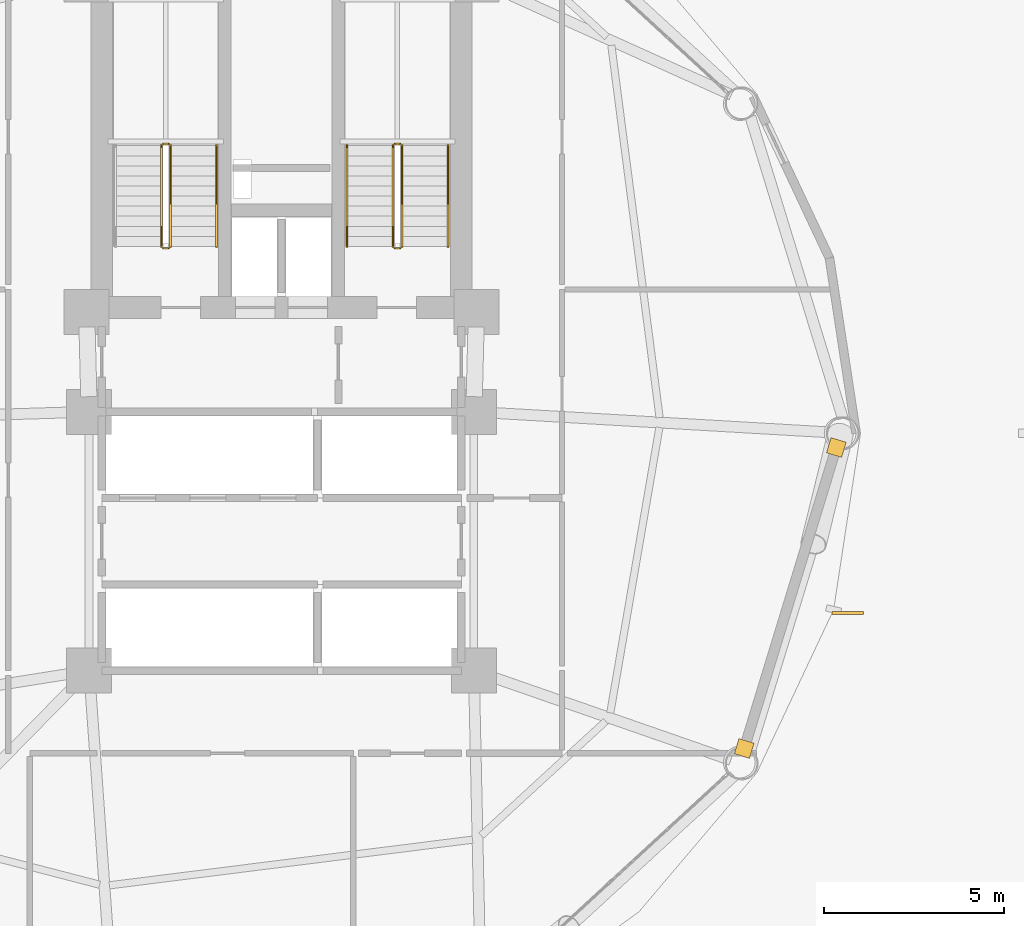
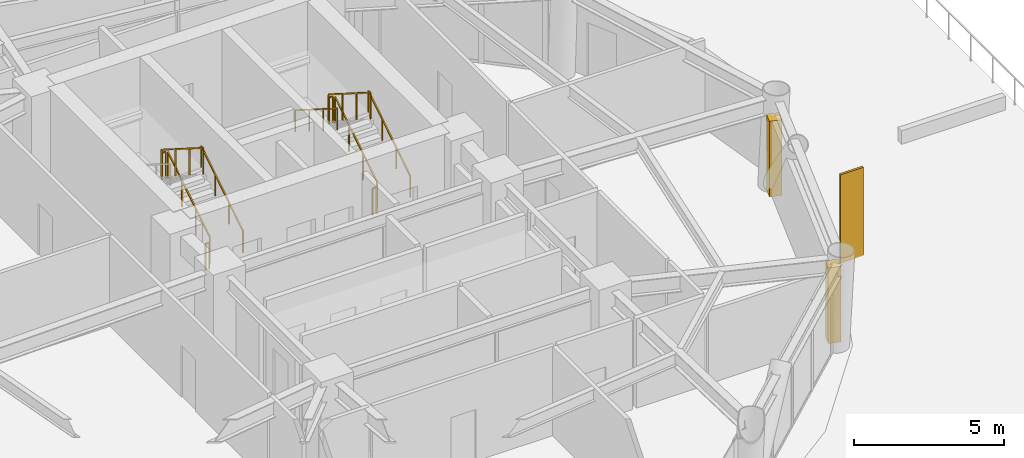
# One storey, part 23 of 24: 11 railings, 2 coverings, 1 shading device.
"""IFC4 building model written with IfcOpenShell, lengths in metres."""

from ifc_helpers import new_model, si_unit, direction, frame, origin, origin_2d, place, context, subcontext, project, spatial, rectangle, extrude, source, transform, mapped, material, layer, layer_set, type_object, type_shapes, element, save


model = new_model("IFC4")

# Units and contexts
model_context = context("Model", 3, precision=1e-05, world=origin(), true_north=direction((0.0, 1.0)))
body_context = subcontext(model_context, "Body", "Model", "MODEL_VIEW")
ifc_project = project(units=[si_unit("LENGTHUNIT", "METRE"), si_unit("AREAUNIT", "SQUARE_METRE"), si_unit("VOLUMEUNIT", "CUBIC_METRE"), si_unit("PLANEANGLEUNIT", "RADIAN"), si_unit("MASSUNIT", "GRAM", prefix="KILO")], contexts=[model_context])

# Site, building, storey
site_placement = place(None, origin())
site = spatial("IfcSite", under=ifc_project, at=site_placement, CompositionType="ELEMENT")
building_placement = place(site_placement, origin())
building = spatial("IfcBuilding", under=site, at=building_placement, Name="Varnakorn Sky Granary", CompositionType="ELEMENT")
storey_placement = place(building_placement, frame((0.0, 0.0, 27.60009765625)))
storey = spatial("IfcBuildingStorey", under=building, at=storey_placement, Name="L06", CompositionType="ELEMENT", Elevation=27.60009765625)

# Railings
ifc_material_1 = material(Name="Brushed Stainless Steel 316", Category="steel")
railing_type_1 = type_object("IfcRailingType", Name="RL-STAIR-1100", PredefinedType="GUARDRAIL", material=ifc_material_1)
railing_1_placement = place(storey_placement, frame((-0.090087890625, 5.199951171875, 0.17724609375)))
element("IfcRailing", 1, at=railing_1_placement, inside=storey, type_object=railing_type_1, Name="L06 ST-1 stair guard 1", PredefinedType="GUARDRAIL", context=body_context, shape_type="SweptSolid", body=[
    extrude(rectangle(XDim=0.048095703125, YDim=0.048095703125, at=origin_2d()), frame((0.0, 0.0, 1.076171875), z_axis=(0.0, 0.844908973607, 0.534910110503), x_axis=(-1.0, 0.0, 0.0)), (0.0, 0.0, 1.0), 3.31396484375),
    extrude(rectangle(XDim=0.0419921875, YDim=0.0419921875, at=origin_2d()), origin(), (0.0, 0.0, 1.0), 1.048095703125),
    extrude(rectangle(XDim=0.0419921875, YDim=0.0419921875, at=origin_2d()), frame((0.0, 0.933349609375, 0.5908203125)), (0.0, 0.0, 1.0), 1.048095703125),
    extrude(rectangle(XDim=0.0419921875, YDim=0.0419921875, at=origin_2d()), frame((0.0, 1.86669921875, 1.181884765625)), (0.0, 0.0, 1.0), 1.048095703125),
    extrude(rectangle(XDim=0.0419921875, YDim=0.0419921875, at=origin_2d()), frame((0.0, 2.800048828125, 1.772705078125)), (0.0, 0.0, 1.0), 1.048095703125),
])
railing_2_placement = place(storey_placement, frame((-0.139892578125, 8.050048828125, 1.949951171875)))
element("IfcRailing", 2, at=railing_2_placement, inside=storey, type_object=railing_type_1, Name="L06 ST-1 stair guard 2", PredefinedType="GUARDRAIL", context=body_context, shape_type="SweptSolid", body=[
    extrude(rectangle(XDim=0.048095703125, YDim=0.048095703125, at=origin_2d()), frame((0.0, 0.0, 1.076171875), z_axis=(-1.0, 0.0, 0.0), x_axis=(0.0, -1.0, 0.0)), (0.0, 0.0, 1.0), 0.150146484375),
    extrude(rectangle(XDim=0.0419921875, YDim=0.0419921875, at=origin_2d()), origin(), (0.0, 0.0, 1.0), 1.048095703125),
    extrude(rectangle(XDim=0.0419921875, YDim=0.0419921875, at=origin_2d()), frame((-0.150146484375, 0.0, 0.0)), (0.0, 0.0, 1.0), 1.048095703125),
])
railing_3_placement = place(storey_placement, frame((-0.340087890625, 8.0, 2.127197265625)))
element("IfcRailing", 3, at=railing_3_placement, inside=storey, type_object=railing_type_1, Name="L06 ST-1 stair guard 3", PredefinedType="GUARDRAIL", context=body_context, shape_type="SweptSolid", body=[
    extrude(rectangle(XDim=0.048095703125, YDim=0.048095703125, at=origin_2d()), frame((0.0, 0.0, 1.076171875), z_axis=(0.0, -0.844908973607, 0.534910110503), x_axis=(1.0, 0.0, 0.0)), (0.0, 0.0, 1.0), 3.31396484375),
    extrude(rectangle(XDim=0.0419921875, YDim=0.0419921875, at=origin_2d()), origin(), (0.0, 0.0, 1.0), 1.048095703125),
    extrude(rectangle(XDim=0.0419921875, YDim=0.0419921875, at=origin_2d()), frame((0.0, -0.933349609375, 0.5908203125)), (0.0, 0.0, 1.0), 1.048095703125),
    extrude(rectangle(XDim=0.0419921875, YDim=0.0419921875, at=origin_2d()), frame((0.0, -1.86669921875, 1.181884765625)), (0.0, 0.0, 1.0), 1.048095703125),
    extrude(rectangle(XDim=0.0419921875, YDim=0.0419921875, at=origin_2d()), frame((0.0, -2.800048828125, 1.772705078125)), (0.0, 0.0, 1.0), 1.048095703125),
])
railing_4_placement = place(storey_placement, frame((-0.139892578125, 5.14990234375, 0.0)))
element("IfcRailing", 4, at=railing_4_placement, inside=storey, type_object=railing_type_1, Name="L06 ST-1 stair guard 4", PredefinedType="GUARDRAIL", context=body_context, shape_type="SweptSolid", body=[
    extrude(rectangle(XDim=0.048095703125, YDim=0.048095703125, at=origin_2d()), frame((0.0, 0.0, 1.076171875), z_axis=(-1.0, 0.0, 0.0), x_axis=(0.0, -1.0, 0.0)), (0.0, 0.0, 1.0), 0.150146484375),
    extrude(rectangle(XDim=0.0419921875, YDim=0.0419921875, at=origin_2d()), origin(), (0.0, 0.0, 1.0), 1.048095703125),
    extrude(rectangle(XDim=0.0419921875, YDim=0.0419921875, at=origin_2d()), frame((-0.150146484375, 0.0, 0.0)), (0.0, 0.0, 1.0), 1.048095703125),
])
railing_5_placement = place(storey_placement, frame((6.35009765625, 5.199951171875, 0.17724609375)))
element("IfcRailing", 5, at=railing_5_placement, inside=storey, type_object=railing_type_1, Name="L06 ST-2 stair guard 1", PredefinedType="GUARDRAIL", context=body_context, shape_type="SweptSolid", body=[
    extrude(rectangle(XDim=0.048095703125, YDim=0.048095703125, at=origin_2d()), frame((0.0, 0.0, 1.076171875), z_axis=(0.0, 0.844908973607, 0.534910110503), x_axis=(-1.0, 0.0, 0.0)), (0.0, 0.0, 1.0), 3.31396484375),
    extrude(rectangle(XDim=0.0419921875, YDim=0.0419921875, at=origin_2d()), origin(), (0.0, 0.0, 1.0), 1.048095703125),
    extrude(rectangle(XDim=0.0419921875, YDim=0.0419921875, at=origin_2d()), frame((0.0, 0.933349609375, 0.5908203125)), (0.0, 0.0, 1.0), 1.048095703125),
    extrude(rectangle(XDim=0.0419921875, YDim=0.0419921875, at=origin_2d()), frame((0.0, 1.86669921875, 1.181884765625)), (0.0, 0.0, 1.0), 1.048095703125),
    extrude(rectangle(XDim=0.0419921875, YDim=0.0419921875, at=origin_2d()), frame((0.0, 2.800048828125, 1.772705078125)), (0.0, 0.0, 1.0), 1.048095703125),
])
railing_6_placement = place(storey_placement, frame((6.300048828125, 8.050048828125, 1.949951171875)))
element("IfcRailing", 6, at=railing_6_placement, inside=storey, type_object=railing_type_1, Name="L06 ST-2 stair guard 2", PredefinedType="GUARDRAIL", context=body_context, shape_type="SweptSolid", body=[
    extrude(rectangle(XDim=0.048095703125, YDim=0.048095703125, at=origin_2d()), frame((0.0, 0.0, 1.076171875), z_axis=(-1.0, 0.0, 0.0), x_axis=(0.0, -1.0, 0.0)), (0.0, 0.0, 1.0), 0.150146484375),
    extrude(rectangle(XDim=0.0419921875, YDim=0.0419921875, at=origin_2d()), origin(), (0.0, 0.0, 1.0), 1.048095703125),
    extrude(rectangle(XDim=0.0419921875, YDim=0.0419921875, at=origin_2d()), frame((-0.150146484375, 0.0, 0.0)), (0.0, 0.0, 1.0), 1.048095703125),
])
railing_7_placement = place(storey_placement, frame((6.10009765625, 8.0, 2.127197265625)))
element("IfcRailing", 7, at=railing_7_placement, inside=storey, type_object=railing_type_1, Name="L06 ST-2 stair guard 3", PredefinedType="GUARDRAIL", context=body_context, shape_type="SweptSolid", body=[
    extrude(rectangle(XDim=0.048095703125, YDim=0.048095703125, at=origin_2d()), frame((0.0, 0.0, 1.076171875), z_axis=(0.0, -0.844908973607, 0.534910110503), x_axis=(1.0, 0.0, 0.0)), (0.0, 0.0, 1.0), 3.31396484375),
    extrude(rectangle(XDim=0.0419921875, YDim=0.0419921875, at=origin_2d()), origin(), (0.0, 0.0, 1.0), 1.048095703125),
    extrude(rectangle(XDim=0.0419921875, YDim=0.0419921875, at=origin_2d()), frame((0.0, -0.933349609375, 0.5908203125)), (0.0, 0.0, 1.0), 1.048095703125),
    extrude(rectangle(XDim=0.0419921875, YDim=0.0419921875, at=origin_2d()), frame((0.0, -1.86669921875, 1.181884765625)), (0.0, 0.0, 1.0), 1.048095703125),
    extrude(rectangle(XDim=0.0419921875, YDim=0.0419921875, at=origin_2d()), frame((0.0, -2.800048828125, 1.772705078125)), (0.0, 0.0, 1.0), 1.048095703125),
])
railing_8_placement = place(storey_placement, frame((6.300048828125, 5.14990234375, 0.0)))
element("IfcRailing", 8, at=railing_8_placement, inside=storey, type_object=railing_type_1, Name="L06 ST-2 stair guard 4", PredefinedType="GUARDRAIL", context=body_context, shape_type="SweptSolid", body=[
    extrude(rectangle(XDim=0.048095703125, YDim=0.048095703125, at=origin_2d()), frame((0.0, 0.0, 1.076171875), z_axis=(-1.0, 0.0, 0.0), x_axis=(0.0, -1.0, 0.0)), (0.0, 0.0, 1.0), 0.150146484375),
    extrude(rectangle(XDim=0.0419921875, YDim=0.0419921875, at=origin_2d()), origin(), (0.0, 0.0, 1.0), 1.048095703125),
    extrude(rectangle(XDim=0.0419921875, YDim=0.0419921875, at=origin_2d()), frame((-0.150146484375, 0.0, 0.0)), (0.0, 0.0, 1.0), 1.048095703125),
])
railing_type_2 = type_object("IfcRailingType", Name="RL-STAIR-920", PredefinedType="HANDRAIL", material=ifc_material_1)
for number, where, name in (
    (9, (1.18994140625, 5.199951171875, 0.17724609375), "L06 ST-1 stair handrail 1"),
    (10, (7.6298828125, 5.199951171875, 0.17724609375), "L06 ST-2 stair handrail 1"),
):
    element("IfcRailing", number, at=place(storey_placement, frame(where)), inside=storey, type_object=railing_type_2, Name=name, PredefinedType="HANDRAIL", context=body_context, shape_type="SweptSolid", body=[
        extrude(rectangle(XDim=0.048095703125, YDim=0.048095703125, at=origin_2d()), frame((0.0, 0.0, 0.8759765625), z_axis=(0.0, 0.844908973607, 0.534910110503), x_axis=(-1.0, 0.0, 0.0)), (0.0, 0.0, 1.0), 3.31396484375),
        extrude(rectangle(XDim=0.0419921875, YDim=0.0419921875, at=origin_2d()), origin(), (0.0, 0.0, 1.0), 0.847900390625),
        extrude(rectangle(XDim=0.0419921875, YDim=0.0419921875, at=origin_2d()), frame((0.0, 0.933349609375, 0.5908203125)), (0.0, 0.0, 1.0), 0.847900390625),
        extrude(rectangle(XDim=0.0419921875, YDim=0.0419921875, at=origin_2d()), frame((0.0, 1.86669921875, 1.181884765625)), (0.0, 0.0, 1.0), 0.847900390625),
        extrude(rectangle(XDim=0.0419921875, YDim=0.0419921875, at=origin_2d()), frame((0.0, 2.800048828125, 1.772705078125)), (0.0, 0.0, 1.0), 0.847900390625),
    ])
railing_9_placement = place(storey_placement, frame((4.820068359375, 8.0, 2.127197265625)))
element("IfcRailing", 11, at=railing_9_placement, inside=storey, type_object=railing_type_2, Name="L06 ST-2 stair handrail 2", PredefinedType="HANDRAIL", context=body_context, shape_type="SweptSolid", body=[
    extrude(rectangle(XDim=0.048095703125, YDim=0.048095703125, at=origin_2d()), frame((0.0, 0.0, 0.8759765625), z_axis=(0.0, -0.844908973607, 0.534910110503), x_axis=(1.0, 0.0, 0.0)), (0.0, 0.0, 1.0), 3.31396484375),
    extrude(rectangle(XDim=0.0419921875, YDim=0.0419921875, at=origin_2d()), origin(), (0.0, 0.0, 1.0), 0.847900390625),
    extrude(rectangle(XDim=0.0419921875, YDim=0.0419921875, at=origin_2d()), frame((0.0, -0.933349609375, 0.5908203125)), (0.0, 0.0, 1.0), 0.847900390625),
    extrude(rectangle(XDim=0.0419921875, YDim=0.0419921875, at=origin_2d()), frame((0.0, -1.86669921875, 1.181884765625)), (0.0, 0.0, 1.0), 0.847900390625),
    extrude(rectangle(XDim=0.0419921875, YDim=0.0419921875, at=origin_2d()), frame((0.0, -2.800048828125, 1.772705078125)), (0.0, 0.0, 1.0), 0.847900390625),
])

# Shading device
ifc_material_2 = material(Name="Anodised Bronze Aluminium Alloy 6063-T6", Category="aluminium")
shading_device_type = type_object("IfcShadingDeviceType", Name="SH-FIN-01", PredefinedType="USERDEFINED", material=ifc_material_2)
shared_shape_1 = source(origin(), body_context, "Body", "SweptSolid", [
    extrude(rectangle(XDim=0.0849609375, YDim=0.8798828125, at=origin_2d()), origin(), (0.0, 0.0, 1.0), 3.60009765625),
])
type_shapes(shading_device_type, [shared_shape_1])
shading_device_placement = place(storey_placement, frame((18.743408203125, -4.99951171875, -0.0400390625), z_axis=(0.0, 0.0, 1.0), x_axis=(-0.005018563312, 0.999987406932, 0.0)))
element("IfcShadingDevice", 12, at=shading_device_placement, inside=storey, type_object=shading_device_type, Name="Bronze Solar-Tracking Vertical Blade FIN L06-12", ObjectType="FIN", PredefinedType="USERDEFINED", context=body_context, shape_type="MappedRepresentation", body=[
    mapped(shared_shape_1, transform((0.0, 0.0, 0.0), x_axis=(1.0, 0.0, 0.0), y_axis=(0.0, 1.0, 0.0), z_axis=(0.0, 0.0, 1.0), scale=1.0)),
])

# Coverings
ifc_layer = layer(ifc_material_2, 0.050048828125, Name="Anodised Bronze Aluminium Alloy 6063-T6")
ifc_layer_set = layer_set([ifc_layer], Name="Anodised Bronze Aluminium Alloy 6063-T6")
covering_type = type_object("IfcCoveringType", Name="CV-CLAD-50", PredefinedType="CLADDING", material=ifc_layer_set)
shared_shape_2 = source(origin(), body_context, "Body", "SweptSolid", [
    extrude(rectangle(XDim=0.43994140625, YDim=0.43994140625, at=origin_2d()), origin(), (0.0, 0.0, 1.0), 3.080078125),
])
type_shapes(covering_type, [shared_shape_2])
for number, where, z_axis, x_axis, name in (
    (13, (18.429443359375, -0.39404296875, -0.02001953125), (0.0, 0.0, 1.0), (-0.292705500237, -0.956202640726, 0.0), "Bronze Corner Pilaster Closure L06-P12-A"),
    (14, (15.867431640625, -8.763427734375, -0.02001953125), (0.0, 0.0, 1.0), (-0.292705500237, -0.956202640726, 0.0), "Bronze Corner Pilaster Closure L06-P12-B"),
):
    element("IfcCovering", number, at=place(storey_placement, frame(where, z_axis=z_axis, x_axis=x_axis)), inside=storey, type_object=covering_type, Name=name, PredefinedType="CLADDING", context=body_context, shape_type="MappedRepresentation", body=[
        mapped(shared_shape_2, transform((0.0, 0.0, 0.0), x_axis=(1.0, 0.0, 0.0), y_axis=(0.0, 1.0, 0.0), z_axis=(0.0, 0.0, 1.0), scale=1.0)),
    ])

save(model, "model.ifc")
